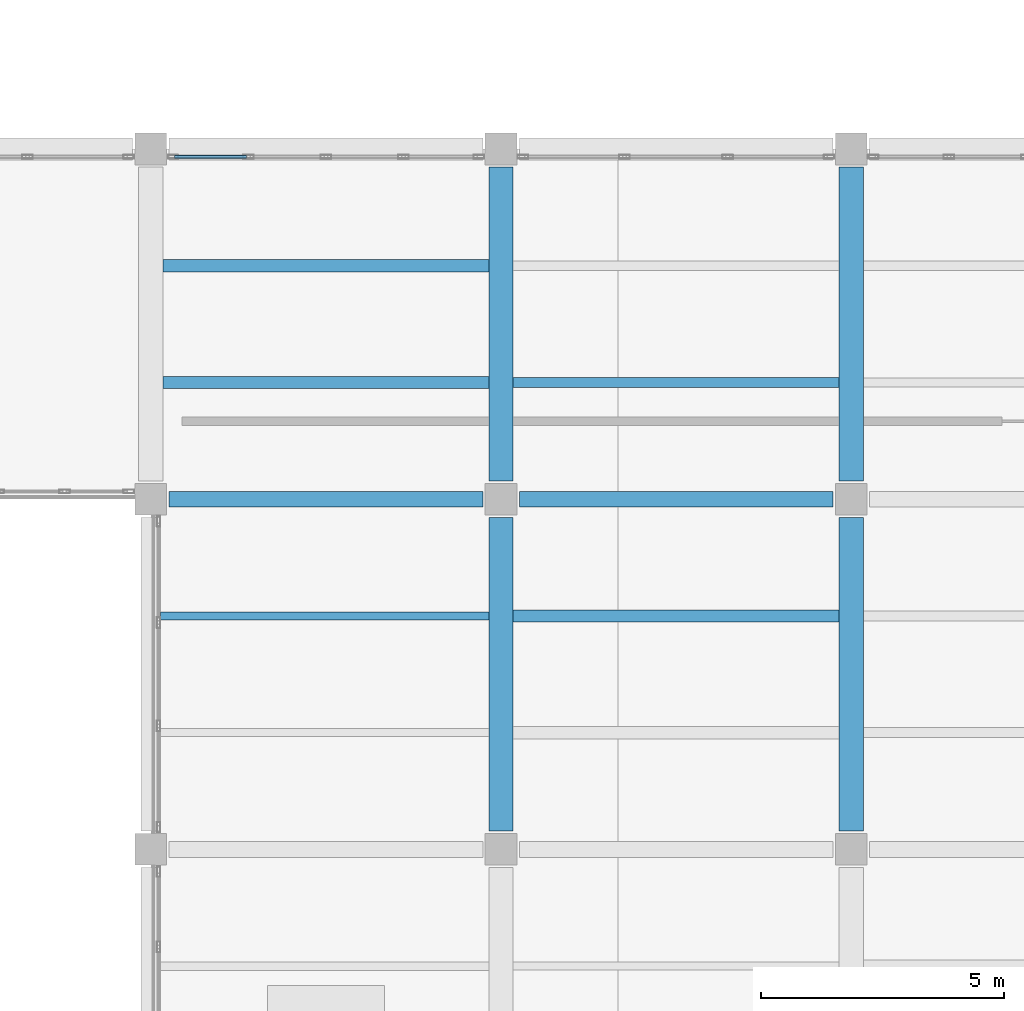
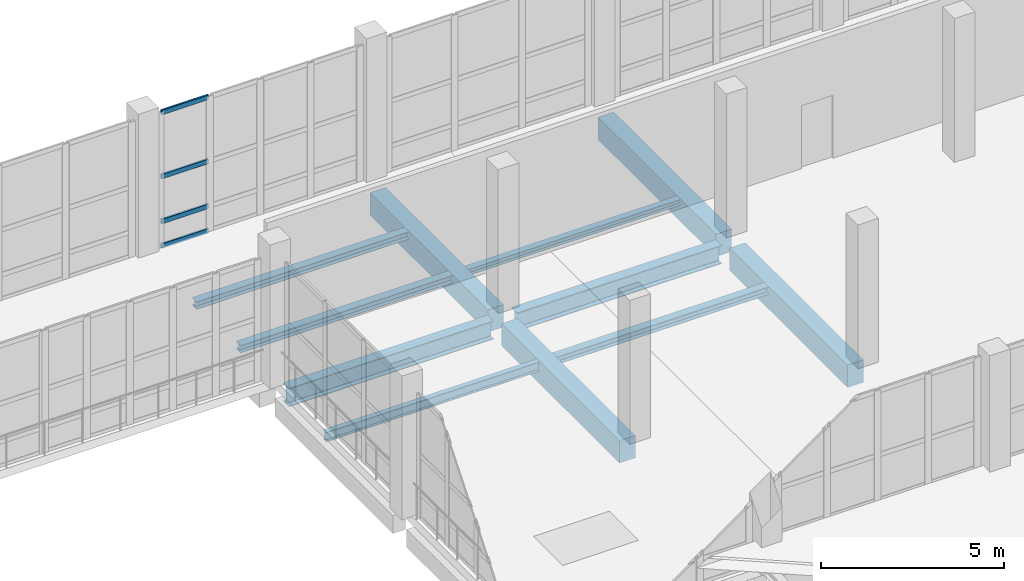
# One storey, part 36 of 127: 11 beams, 4 members, 1 element without a shape of its own.
"""IFC4 building model written with IfcOpenShell, lengths in metres."""

from ifc_helpers import new_model, si_unit, direction, frame, origin, origin_2d, place, context, subcontext, project, spatial, rectangle, hollow_rectangle, i_section, extrude, material, material_profile, profile_set, type_object, element, aggregate, save


model = new_model("IFC4")

# Units and contexts
model_context = context("Model", 3, precision=1e-05, world=origin(), true_north=direction((0.0, 1.0)))
body_context = subcontext(model_context, "Body", "Model", "MODEL_VIEW")
ifc_project = project(units=[si_unit("LENGTHUNIT", "METRE"), si_unit("AREAUNIT", "SQUARE_METRE"), si_unit("VOLUMEUNIT", "CUBIC_METRE"), si_unit("PLANEANGLEUNIT", "RADIAN"), si_unit("MASSUNIT", "GRAM", prefix="KILO")], contexts=[model_context])

# Site, building, storey
site_placement = place(None, origin())
site = spatial("IfcSite", under=ifc_project, at=site_placement, CompositionType="ELEMENT")
building_placement = place(site_placement, origin())
building = spatial("IfcBuilding", under=site, at=building_placement, Name="Kalmorath City Hall", CompositionType="ELEMENT")
storey_placement = place(building_placement, frame((0.0, 0.0, 5.39990234375)))
storey = spatial("IfcBuildingStorey", under=building, at=storey_placement, Name="L01", CompositionType="ELEMENT", Elevation=5.39990234375)

# Beams
ifc_material_1 = material(Name="Concrete C40/50", Category="concrete")
ifc_material_profile_1 = material_profile(ifc_material_1, rectangle(XDim=0.5, YDim=0.75, at=origin_2d()), Name="RC-BM-500X750")
ifc_profile_set_1 = profile_set([ifc_material_profile_1], Name="Concrete C40/50")
beam_type_1 = type_object("IfcBeamType", Name="Concrete floor beam 500x750", PredefinedType="BEAM", material=ifc_profile_set_1)
for number, where, z_axis, x_axis, name in (
    (1, (86.39990234375, 29.175048828125, -0.698974609375), (0.0, 1.0, 0.0), (-1.0, 0.0, 0.0), "L01 girder CB3 Y13/5-6"),
    (2, (86.39990234375, 36.375, -0.698974609375), (0.0, 1.0, 0.0), (-1.0, 0.0, 0.0), "L01 girder CB3 Y13/6-7"),
    (3, (93.60009765625, 29.175048828125, -0.698974609375), (0.0, 1.0, 0.0), (-1.0, 0.0, 0.0), "L01 girder CB3 Y14/5-6"),
    (4, (93.60009765625, 36.375, -0.698974609375), (0.0, 1.0, 0.0), (-1.0, 0.0, 0.0), "L01 girder CB3 Y14/6-7"),
):
    element("IfcBeam", number, at=place(storey_placement, frame(where, z_axis=z_axis, x_axis=x_axis)), inside=storey, type_object=beam_type_1, Name=name, PredefinedType="BEAM", context=body_context, shape_type="SweptSolid", body=[
        extrude(rectangle(XDim=0.5, YDim=0.75, at=origin_2d()), origin(), (0.0, 0.0, 1.0), 6.449951171875),
    ])

# Curtain wall, members
ifc_material_2 = material(Name="Anodised aluminium and laminated glass", Category="aluminium")
curtain_wall_type = type_object("IfcCurtainWallType", Name="Unitised hurricane curtain wall 6370x4520 M1500", PredefinedType="NOTDEFINED", material=ifc_material_2)
curtain_wall_placement = place(storey_placement, origin())
curtain_wall = element("IfcCurtainWall", 5, at=curtain_wall_placement, inside=storey, type_object=curtain_wall_type, Name="L01 curtain wall CW-64X45M15 #88", PredefinedType="NOTDEFINED")
ifc_material_3 = material(Name="Anodised aluminium framing", Category="aluminium")
ifc_material_profile_2 = material_profile(ifc_material_3, hollow_rectangle(XDim=0.06494140625, YDim=0.159912109375, WallThickness=0.00390625, InnerFilletRadius=0.00390625, OuterFilletRadius=0.008056640625, at=origin_2d()), Name="ALU-TRN-160X65X4")
ifc_profile_set_2 = profile_set([ifc_material_profile_2], Name="Anodised aluminium framing")
member_type = type_object("IfcMemberType", Name="Curtain-wall primary transom 160x65", PredefinedType="USERDEFINED", material=ifc_profile_set_2)
member_1_placement = place(storey_placement, frame((79.68994140625, 43.0400390625, 0.03271484375), z_axis=(1.0, 0.0, 0.0), x_axis=(0.0, 1.0, 0.0)))
member_1 = element("IfcMember", 6, at=member_1_placement, type_object=member_type, Name="CW-64X45M15 transom 1.1", ObjectType="TRANSOM", PredefinedType="USERDEFINED", context=body_context, shape_type="SweptSolid", body=[
    extrude(hollow_rectangle(XDim=0.06494140625, YDim=0.159912109375, WallThickness=0.00390625, InnerFilletRadius=0.00390625, OuterFilletRadius=0.008056640625, at=origin_2d()), origin(), (0.0, 0.0, 1.0), 1.47998046875),
])
member_2_placement = place(storey_placement, frame((79.68994140625, 43.0400390625, 0.85009765625), z_axis=(1.0, 0.0, 0.0), x_axis=(0.0, 1.0, 0.0)))
member_2 = element("IfcMember", 7, at=member_2_placement, type_object=member_type, Name="CW-64X45M15 transom 1.2", ObjectType="TRANSOM", PredefinedType="USERDEFINED", context=body_context, shape_type="SweptSolid", body=[
    extrude(hollow_rectangle(XDim=0.06494140625, YDim=0.159912109375, WallThickness=0.00390625, InnerFilletRadius=0.00390625, OuterFilletRadius=0.008056640625, at=origin_2d()), origin(), (0.0, 0.0, 1.0), 1.47998046875),
])
member_3_placement = place(storey_placement, frame((79.68994140625, 43.0400390625, 2.35009765625), z_axis=(1.0, 0.0, 0.0), x_axis=(0.0, 1.0, 0.0)))
member_3 = element("IfcMember", 8, at=member_3_placement, type_object=member_type, Name="CW-64X45M15 transom 1.3", ObjectType="TRANSOM", PredefinedType="USERDEFINED", context=body_context, shape_type="SweptSolid", body=[
    extrude(hollow_rectangle(XDim=0.06494140625, YDim=0.159912109375, WallThickness=0.00390625, InnerFilletRadius=0.00390625, OuterFilletRadius=0.008056640625, at=origin_2d()), origin(), (0.0, 0.0, 1.0), 1.47998046875),
])
member_4_placement = place(storey_placement, frame((79.68994140625, 43.0400390625, 4.487548828125), z_axis=(1.0, 0.0, 0.0), x_axis=(0.0, 1.0, 0.0)))
member_4 = element("IfcMember", 9, at=member_4_placement, type_object=member_type, Name="CW-64X45M15 transom 1.4", ObjectType="TRANSOM", PredefinedType="USERDEFINED", context=body_context, shape_type="SweptSolid", body=[
    extrude(hollow_rectangle(XDim=0.06494140625, YDim=0.159912109375, WallThickness=0.00390625, InnerFilletRadius=0.00390625, OuterFilletRadius=0.008056640625, at=origin_2d()), origin(), (0.0, 0.0, 1.0), 1.47998046875),
])
aggregate(curtain_wall, [member_1, member_2, member_3, member_4])

# Beams
ifc_material_4 = material(Name="Steel ASTM A992 Grade 50", Category="steel")
ifc_material_profile_3 = material_profile(ifc_material_4, i_section(OverallWidth=0.202880859375, OverallDepth=0.202880859375, WebThickness=0.007080078125, FlangeThickness=0.010986328125, FilletRadius=0.010986328125, at=origin_2d()), Name="W8X31")
ifc_profile_set_3 = profile_set([ifc_material_profile_3], Name="Steel ASTM A992 Grade 50")
beam_type_2 = type_object("IfcBeamType", Name="Steel edge trimmer W8X31", PredefinedType="LINTEL", material=ifc_profile_set_3)
beam_1_placement = place(storey_placement, frame((86.64990234375, 38.39990234375, -0.42529296875), z_axis=(1.0, 0.0, 0.0), x_axis=(0.0, 1.0, 0.0)))
element("IfcBeam", 10, at=beam_1_placement, inside=storey, type_object=beam_type_2, Name="L01 joist SJ16 13.6.1", PredefinedType="LINTEL", context=body_context, shape_type="SweptSolid", body=[
    extrude(i_section(OverallWidth=0.202880859375, OverallDepth=0.202880859375, WebThickness=0.007080078125, FlangeThickness=0.010986328125, FilletRadius=0.010986328125, at=origin_2d()), origin(), (0.0, 0.0, 1.0), 6.7001953125),
])
ifc_material_5 = material(Name="Steel ASTM A992 Grade 50", Category="steel")
ifc_material_profile_4 = material_profile(ifc_material_5, i_section(OverallWidth=0.323974609375, OverallDepth=0.611083984375, WebThickness=0.0126953125, FlangeThickness=0.01904296875, FilletRadius=0.01611328125, at=origin_2d()), Name="W24X104")
ifc_profile_set_4 = profile_set([ifc_material_profile_4], Name="Steel ASTM A992 Grade 50")
beam_type_3 = type_object("IfcBeamType", Name="Steel floor girder W24X104", PredefinedType="BEAM", material=ifc_profile_set_4)
beam_2_placement = place(storey_placement, frame((79.574951171875, 36.0, -0.62939453125), z_axis=(1.0, 0.0, 0.0), x_axis=(0.0, 1.0, 0.0)))
element("IfcBeam", 11, at=beam_2_placement, inside=storey, type_object=beam_type_3, Name="L01 girder SG7 X12-13/6", PredefinedType="BEAM", context=body_context, shape_type="SweptSolid", body=[
    extrude(i_section(OverallWidth=0.323974609375, OverallDepth=0.611083984375, WebThickness=0.0126953125, FlangeThickness=0.01904296875, FilletRadius=0.01611328125, at=origin_2d()), origin(), (0.0, 0.0, 1.0), 6.449951171875),
])
beam_3_placement = place(storey_placement, frame((86.77490234375, 36.0, -0.62939453125), z_axis=(1.0, 0.0, 0.0), x_axis=(0.0, 1.0, 0.0)))
element("IfcBeam", 12, at=beam_3_placement, inside=storey, type_object=beam_type_3, Name="L01 girder SG7 X13-14/6", PredefinedType="BEAM", context=body_context, shape_type="SweptSolid", body=[
    extrude(i_section(OverallWidth=0.323974609375, OverallDepth=0.611083984375, WebThickness=0.0126953125, FlangeThickness=0.01904296875, FilletRadius=0.01611328125, at=origin_2d()), origin(), (0.0, 0.0, 1.0), 6.4501953125),
])
ifc_material_6 = material(Name="Steel ASTM A992 Grade 50", Category="steel")
ifc_material_profile_5 = material_profile(ifc_material_6, i_section(OverallWidth=0.1669921875, OverallDepth=0.318115234375, WebThickness=0.007568359375, FlangeThickness=0.01318359375, FilletRadius=0.012939453125, at=origin_2d()), Name="W12X35")
ifc_profile_set_5 = profile_set([ifc_material_profile_5], Name="Steel ASTM A992 Grade 50")
beam_type_4 = type_object("IfcBeamType", Name="Steel header lintel W12X35", PredefinedType="LINTEL", material=ifc_profile_set_5)
beam_4_placement = place(storey_placement, frame((79.39990234375, 33.60009765625, -0.48291015625), z_axis=(1.0, 0.0, 0.0), x_axis=(0.0, 1.0, 0.0)))
element("IfcBeam", 13, at=beam_4_placement, inside=storey, type_object=beam_type_4, Name="L01 joist SJ13 12.5.2", PredefinedType="LINTEL", context=body_context, shape_type="SweptSolid", body=[
    extrude(i_section(OverallWidth=0.1669921875, OverallDepth=0.318115234375, WebThickness=0.007568359375, FlangeThickness=0.01318359375, FilletRadius=0.012939453125, at=origin_2d()), origin(), (0.0, 0.0, 1.0), 6.75),
])
ifc_material_7 = material(Name="Steel ASTM A992 Grade 50", Category="steel")
ifc_material_profile_6 = material_profile(ifc_material_7, i_section(OverallWidth=0.25390625, OverallDepth=0.2529296875, WebThickness=0.008544921875, FlangeThickness=0.01416015625, FilletRadius=0.011962890625, at=origin_2d()), Name="W10X49")
ifc_profile_set_6 = profile_set([ifc_material_profile_6], Name="Steel ASTM A992 Grade 50")
beam_type_5 = type_object("IfcBeamType", Name="Steel trimmer beam W10X49", PredefinedType="BEAM", material=ifc_profile_set_6)
for number, where, z_axis, x_axis, name in (
    (14, (79.449951171875, 38.39990234375, -0.450439453125), (1.0, 0.0, 0.0), (0.0, 1.0, 0.0), "L01 joist SJ14 12.6.1"),
    (15, (79.449951171875, 40.800048828125, -0.450439453125), (1.0, 0.0, 0.0), (0.0, 1.0, 0.0), "L01 joist SJ14 12.6.2"),
):
    element("IfcBeam", number, at=place(storey_placement, frame(where, z_axis=z_axis, x_axis=x_axis)), inside=storey, type_object=beam_type_5, Name=name, PredefinedType="BEAM", context=body_context, shape_type="SweptSolid", body=[
        extrude(i_section(OverallWidth=0.25390625, OverallDepth=0.2529296875, WebThickness=0.008544921875, FlangeThickness=0.01416015625, FilletRadius=0.011962890625, at=origin_2d()), origin(), (0.0, 0.0, 1.0), 6.699951171875),
    ])
beam_5_placement = place(storey_placement, frame((86.64990234375, 33.60009765625, -0.450439453125), z_axis=(1.0, 0.0, 0.0), x_axis=(0.0, 1.0, 0.0)))
element("IfcBeam", 16, at=beam_5_placement, inside=storey, type_object=beam_type_5, Name="L01 joist SJ14 13.5.2", PredefinedType="BEAM", context=body_context, shape_type="SweptSolid", body=[
    extrude(i_section(OverallWidth=0.25390625, OverallDepth=0.2529296875, WebThickness=0.008544921875, FlangeThickness=0.01416015625, FilletRadius=0.011962890625, at=origin_2d()), origin(), (0.0, 0.0, 1.0), 6.7001953125),
])

save(model, "model.ifc")
